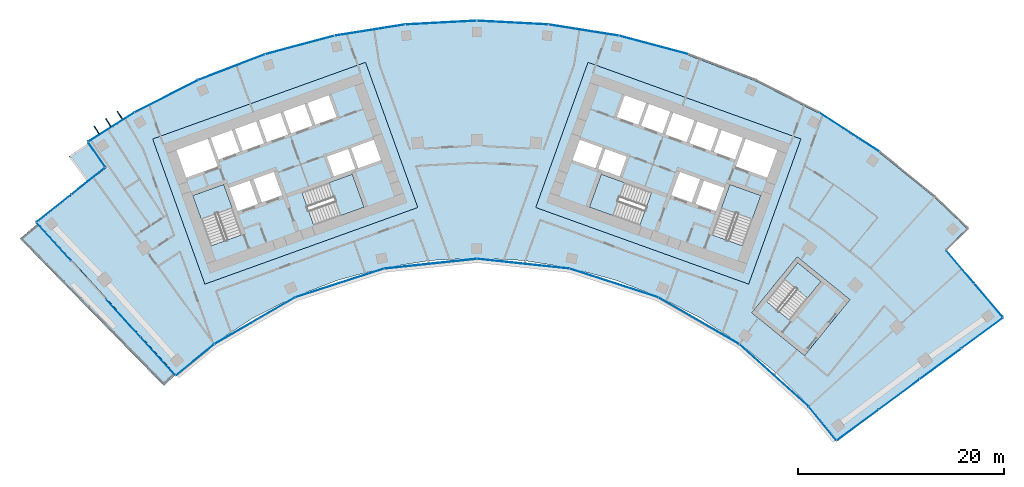
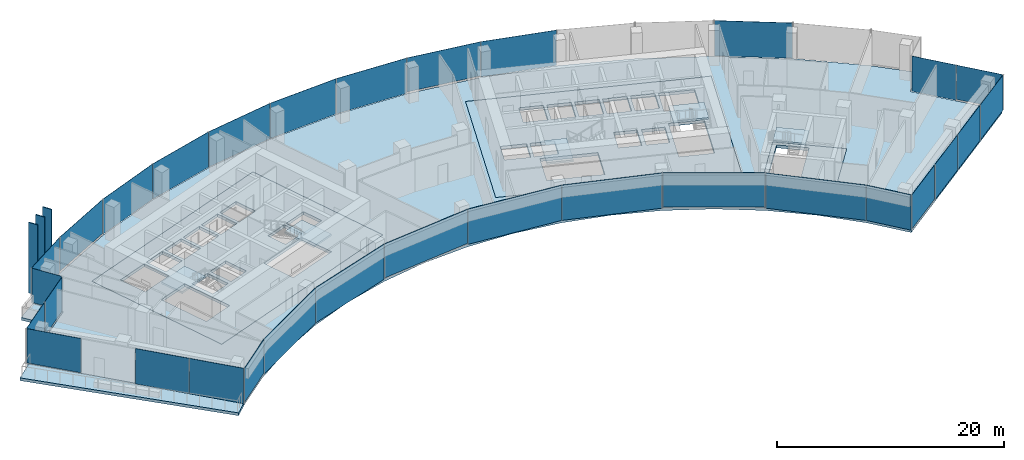
# One storey, part 10 of 19: 34 plates, 11 slabs, 12 elements without a shape of their own.
"""IFC4 building model written with IfcOpenShell, lengths in metres."""

from ifc_helpers import new_model, si_unit, direction, frame, origin, origin_2d, place, context, subcontext, project, spatial, polyline, rectangle, outline, extrude, material, layer, layer_set, type_object, element, aggregate, save


model = new_model("IFC4")

# Units and contexts
model_context = context("Model", 3, precision=1e-05, world=origin(), true_north=direction((0.0, 1.0)))
body_context = subcontext(model_context, "Body", "Model", "MODEL_VIEW")
ifc_project = project(units=[si_unit("LENGTHUNIT", "METRE"), si_unit("AREAUNIT", "SQUARE_METRE"), si_unit("VOLUMEUNIT", "CUBIC_METRE"), si_unit("PLANEANGLEUNIT", "RADIAN"), si_unit("MASSUNIT", "GRAM", prefix="KILO")], contexts=[model_context])

# Site, building, storey
site_placement = place(None, origin())
site = spatial("IfcSite", under=ifc_project, at=site_placement, CompositionType="ELEMENT")
building_placement = place(site_placement, origin())
building = spatial("IfcBuilding", under=site, at=building_placement, Name="Stone Belt Terrace Tower", CompositionType="ELEMENT")
storey_placement = place(building_placement, frame((0.0, 0.0, 227.60009765625)))
storey = spatial("IfcBuildingStorey", under=building, at=storey_placement, Name="L55", CompositionType="ELEMENT", Elevation=227.60009765625)

# Curtain wall, plates
ifc_material_1 = material(Name="Aluminium 6063-T6 anodised frame", Category="aluminium")
ifc_layer_1 = layer(ifc_material_1, 0.14990234375)
ifc_layer_set_1 = layer_set([ifc_layer_1], Name="CW-A unitised convex-face curtain wall")
curtain_wall_type_1 = type_object("IfcCurtainWallType", Name="CW-A unitised convex-face curtain wall", PredefinedType="NOTDEFINED", material=ifc_layer_set_1)
curtain_wall_1_placement = place(storey_placement, origin())
curtain_wall_1 = element("IfcCurtainWall", 1, at=curtain_wall_1_placement, inside=storey, type_object=curtain_wall_type_1, Name="CW-A convex face L55", PredefinedType="NOTDEFINED")
ifc_material_2 = material(Name="Clear double glazed unit")
ifc_layer_2 = layer(ifc_material_2, 0.031982421875)
ifc_layer_set_2 = layer_set([ifc_layer_2], Name="CW-A glass panel 32")
plate_type_1 = type_object("IfcPlateType", Name="CW-A glass panel 32", PredefinedType="CURTAIN_PANEL", material=ifc_layer_set_2)
plate_1_placement = place(storey_placement, frame((36.209716796875, 55.758056640625, 0.0), z_axis=(0.0, 0.0, 1.0), x_axis=(-0.838670567945, 0.544639035015, 0.0)))
plate_1 = element("IfcPlate", 2, at=plate_1_placement, type_object=plate_type_1, Name="CW-A panel 3.1", PredefinedType="CURTAIN_PANEL", context=body_context, shape_type="SweptSolid", body=[
    extrude(rectangle(XDim=6.90087890625, YDim=0.031982421875, at=origin_2d()), origin(), (0.0, 0.0, 1.0), 3.800048828125),
])
plate_2_placement = place(storey_placement, frame((17.207275390625, 64.218505859375, 0.0), z_axis=(0.0, 0.0, 1.0), x_axis=(-0.965925826289, 0.258819045103, 0.0)))
plate_2 = element("IfcPlate", 3, at=plate_2_placement, type_object=plate_type_1, Name="CW-A panel 6.1", PredefinedType="CURTAIN_PANEL", context=body_context, shape_type="SweptSolid", body=[
    extrude(rectangle(XDim=6.90087890625, YDim=0.031982421875, at=origin_2d()), origin(), (0.0, 0.0, 1.0), 3.800048828125),
])
plate_3_placement = place(storey_placement, frame((10.400390625, 65.665283203125, 0.14013671875), z_axis=(0.0, 0.0, 1.0), x_axis=(-0.987688340595, 0.15643446504, 0.0)))
plate_3 = element("IfcPlate", 4, at=plate_3_placement, type_object=plate_type_1, Name="CW-A panel 7.1", PredefinedType="CURTAIN_PANEL", context=body_context, shape_type="SweptSolid", body=[
    extrude(rectangle(XDim=6.90087890625, YDim=0.031982421875, at=origin_2d()), origin(), (0.0, 0.0, 1.0), 3.659912109375),
])
plate_4_placement = place(storey_placement, frame((3.4794921875, 66.392822265625, 0.0), z_axis=(0.0, 0.0, 1.0), x_axis=(-0.998629534755, 0.052335956243, 0.0)))
plate_4 = element("IfcPlate", 5, at=plate_4_placement, type_object=plate_type_1, Name="CW-A panel 8.1", PredefinedType="CURTAIN_PANEL", context=body_context, shape_type="SweptSolid", body=[
    extrude(rectangle(XDim=6.90087890625, YDim=0.031982421875, at=origin_2d()), origin(), (0.0, 0.0, 1.0), 3.800048828125),
])
plate_5_placement = place(storey_placement, frame((-3.4794921875, 66.392822265625, 0.0), z_axis=(0.0, 0.0, 1.0), x_axis=(-0.998629534755, -0.052335956243, 0.0)))
plate_5 = element("IfcPlate", 6, at=plate_5_placement, type_object=plate_type_1, Name="CW-A panel 9.1", PredefinedType="CURTAIN_PANEL", context=body_context, shape_type="SweptSolid", body=[
    extrude(rectangle(XDim=6.90087890625, YDim=0.031982421875, at=origin_2d()), origin(), (0.0, 0.0, 1.0), 3.800048828125),
])
plate_6_placement = place(storey_placement, frame((-10.400390625, 65.665283203125, 0.0), z_axis=(0.0, 0.0, 1.0), x_axis=(-0.987688340595, -0.15643446504, 0.0)))
plate_6 = element("IfcPlate", 7, at=plate_6_placement, type_object=plate_type_1, Name="CW-A panel 10.1", PredefinedType="CURTAIN_PANEL", context=body_context, shape_type="SweptSolid", body=[
    extrude(rectangle(XDim=6.90087890625, YDim=0.031982421875, at=origin_2d()), origin(), (0.0, 0.0, 1.0), 3.800048828125),
])
plate_7_placement = place(storey_placement, frame((-17.207275390625, 64.218505859375, 0.0), z_axis=(0.0, 0.0, 1.0), x_axis=(-0.965925826289, -0.258819045103, 0.0)))
plate_7 = element("IfcPlate", 8, at=plate_7_placement, type_object=plate_type_1, Name="CW-A panel 11.1", PredefinedType="CURTAIN_PANEL", context=body_context, shape_type="SweptSolid", body=[
    extrude(rectangle(XDim=6.90087890625, YDim=0.031982421875, at=origin_2d()), origin(), (0.0, 0.0, 1.0), 3.800048828125),
])
plate_8_placement = place(storey_placement, frame((-23.82568359375, 62.068115234375, 0.0), z_axis=(0.0, 0.0, 1.0), x_axis=(-0.933580426497, -0.358367949545, 0.0)))
plate_8 = element("IfcPlate", 9, at=plate_8_placement, type_object=plate_type_1, Name="CW-A panel 12.1", PredefinedType="CURTAIN_PANEL", context=body_context, shape_type="SweptSolid", body=[
    extrude(rectangle(XDim=6.90087890625, YDim=0.031982421875, at=origin_2d()), origin(), (0.0, 0.0, 1.0), 3.800048828125),
])
plate_9_placement = place(storey_placement, frame((-30.18310546875, 59.237548828125, 0.14013671875), z_axis=(0.0, 0.0, 1.0), x_axis=(-0.891006524188, -0.45399049974, 0.0)))
plate_9 = element("IfcPlate", 10, at=plate_9_placement, type_object=plate_type_1, Name="CW-A panel 13.1", PredefinedType="CURTAIN_PANEL", context=body_context, shape_type="SweptSolid", body=[
    extrude(rectangle(XDim=6.90087890625, YDim=0.031982421875, at=origin_2d()), origin(), (0.0, 0.0, 1.0), 3.659912109375),
])
plate_10_placement = place(storey_placement, frame((-35.53125, 56.23876953125, 0.0), z_axis=(0.0, 0.0, 1.0), x_axis=(-0.845539701985, -0.533912551236, 0.0)))
plate_10 = element("IfcPlate", 11, at=plate_10_placement, type_object=plate_type_1, Name="CW-A panel 14.1", PredefinedType="CURTAIN_PANEL", context=body_context, shape_type="SweptSolid", body=[
    extrude(rectangle(XDim=5.24169921875, YDim=0.031982421875, at=origin_2d()), origin(), (0.0, 0.0, 1.0), 3.800048828125),
])
aggregate(curtain_wall_1, [plate_1, plate_2, plate_3, plate_4, plate_5, plate_6, plate_7, plate_8, plate_9, plate_10])

ifc_layer_3 = layer(ifc_material_1, 0.14990234375)
ifc_layer_set_3 = layer_set([ifc_layer_3], Name="CW-B unitised concave-face curtain wall")
curtain_wall_type_2 = type_object("IfcCurtainWallType", Name="CW-B unitised concave-face curtain wall", PredefinedType="NOTDEFINED", material=ifc_layer_set_3)
curtain_wall_2_placement = place(storey_placement, origin())
curtain_wall_2 = element("IfcCurtainWall", 12, at=curtain_wall_2_placement, inside=storey, type_object=curtain_wall_type_2, Name="CW-B concave face L55", PredefinedType="NOTDEFINED")
ifc_layer_4 = layer(ifc_material_2, 0.030029296875)
ifc_layer_set_4 = layer_set([ifc_layer_4], Name="CW-B glass panel 30")
plate_type_2 = type_object("IfcPlateType", Name="CW-B glass panel 30", PredefinedType="CURTAIN_PANEL", material=ifc_layer_set_4)
plate_11_placement = place(storey_placement, frame((-27.388427734375, 33.6142578125, 0.1201171875), z_axis=(0.0, 0.0, 1.0), x_axis=(0.77552492833, 0.631316945392, 0.0)))
plate_11 = element("IfcPlate", 13, at=plate_11_placement, type_object=plate_type_2, Name="CW-B panel 1.1", PredefinedType="CURTAIN_PANEL", context=body_context, shape_type="SweptSolid", body=[
    extrude(rectangle(XDim=4.740966796875, YDim=0.030029296875, at=origin_2d()), origin(), (0.0, 0.0, 1.0), 3.679931640625),
])
plate_12_placement = place(storey_placement, frame((-21.594970703125, 37.39990234375, 0.0), z_axis=(0.0, 0.0, 1.0), x_axis=(0.866025403784, 0.5, 0.0)))
plate_12 = element("IfcPlate", 14, at=plate_12_placement, type_object=plate_type_2, Name="CW-B panel 2.1", PredefinedType="CURTAIN_PANEL", context=body_context, shape_type="SweptSolid", body=[
    extrude(rectangle(XDim=9.0166015625, YDim=0.030029296875, at=origin_2d()), origin(), (0.0, 0.0, 1.0), 3.800048828125),
])
plate_13_placement = place(storey_placement, frame((-13.345458984375, 41.072998046875, 0.0), z_axis=(0.0, 0.0, 1.0), x_axis=(0.951056516295, 0.309016994375, 0.0)))
plate_13 = element("IfcPlate", 15, at=plate_13_placement, type_object=plate_type_2, Name="CW-B panel 3.1", PredefinedType="CURTAIN_PANEL", context=body_context, shape_type="SweptSolid", body=[
    extrude(rectangle(XDim=9.0126953125, YDim=0.030029296875, at=origin_2d()), origin(), (0.0, 0.0, 1.0), 3.800048828125),
])
plate_14_placement = place(storey_placement, frame((-4.51416015625, 42.9501953125, 0.1201171875), z_axis=(0.0, 0.0, 1.0), x_axis=(0.994521895368, 0.104528463268, 0.0)))
plate_14 = element("IfcPlate", 16, at=plate_14_placement, type_object=plate_type_2, Name="CW-B panel 4.1", PredefinedType="CURTAIN_PANEL", context=body_context, shape_type="SweptSolid", body=[
    extrude(rectangle(XDim=9.0126953125, YDim=0.030029296875, at=origin_2d()), origin(), (0.0, 0.0, 1.0), 3.679931640625),
])
plate_15_placement = place(storey_placement, frame((4.51416015625, 42.9501953125, 0.0), z_axis=(0.0, 0.0, 1.0), x_axis=(0.994521895368, -0.104528463268, 0.0)))
plate_15 = element("IfcPlate", 17, at=plate_15_placement, type_object=plate_type_2, Name="CW-B panel 5.1", PredefinedType="CURTAIN_PANEL", context=body_context, shape_type="SweptSolid", body=[
    extrude(rectangle(XDim=9.0126953125, YDim=0.030029296875, at=origin_2d()), origin(), (0.0, 0.0, 1.0), 3.800048828125),
])
plate_16_placement = place(storey_placement, frame((13.345458984375, 41.072998046875, 0.0), z_axis=(0.0, 0.0, 1.0), x_axis=(0.951056516295, -0.309016994375, 0.0)))
plate_16 = element("IfcPlate", 18, at=plate_16_placement, type_object=plate_type_2, Name="CW-B panel 6.1", PredefinedType="CURTAIN_PANEL", context=body_context, shape_type="SweptSolid", body=[
    extrude(rectangle(XDim=9.0126953125, YDim=0.030029296875, at=origin_2d()), origin(), (0.0, 0.0, 1.0), 3.800048828125),
])
plate_17_placement = place(storey_placement, frame((21.59326171875, 37.40087890625, 0.1201171875), z_axis=(0.0, 0.0, 1.0), x_axis=(0.866025403784, -0.5, 0.0)))
plate_17 = element("IfcPlate", 19, at=plate_17_placement, type_object=plate_type_2, Name="CW-B panel 7.1", PredefinedType="CURTAIN_PANEL", context=body_context, shape_type="SweptSolid", body=[
    extrude(rectangle(XDim=9.0126953125, YDim=0.030029296875, at=origin_2d()), origin(), (0.0, 0.0, 1.0), 3.679931640625),
])
plate_18_placement = place(storey_placement, frame((28.899169921875, 32.092529296875, 0.0), z_axis=(0.0, 0.0, 1.0), x_axis=(0.743144825477, -0.669130606359, 0.0)))
plate_18 = element("IfcPlate", 20, at=plate_18_placement, type_object=plate_type_2, Name="CW-B panel 8.1", PredefinedType="CURTAIN_PANEL", context=body_context, shape_type="SweptSolid", body=[
    extrude(rectangle(XDim=9.01708984375, YDim=0.030029296875, at=origin_2d()), origin(), (0.0, 0.0, 1.0), 3.800048828125),
])
plate_19_placement = place(storey_placement, frame((33.611572265625, 27.4150390625, 0.0), z_axis=(0.0, 0.0, 1.0), x_axis=(0.632397726807, -0.774643863417, 0.0)))
plate_19 = element("IfcPlate", 21, at=plate_19_placement, type_object=plate_type_2, Name="CW-B panel 9.1", PredefinedType="CURTAIN_PANEL", context=body_context, shape_type="SweptSolid", body=[
    extrude(rectangle(XDim=4.173828125, YDim=0.030029296875, at=origin_2d()), origin(), (0.0, 0.0, 1.0), 3.800048828125),
])
aggregate(curtain_wall_2, [plate_11, plate_12, plate_13, plate_14, plate_15, plate_16, plate_17, plate_18, plate_19])

ifc_layer_5 = layer(ifc_material_1, 0.14990234375)
ifc_layer_set_5 = layer_set([ifc_layer_5], Name="CW-C stick curtain wall, horn ends and notches")
curtain_wall_type_3 = type_object("IfcCurtainWallType", Name="CW-C stick curtain wall, horn ends and notches", PredefinedType="NOTDEFINED", material=ifc_layer_set_5)
curtain_wall_3_placement = place(storey_placement, origin())
curtain_wall_3 = element("IfcCurtainWall", 22, at=curtain_wall_3_placement, inside=storey, type_object=curtain_wall_type_3, Name="CW-C end face L55", PredefinedType="NOTDEFINED")
ifc_layer_6 = layer(ifc_material_2, 0.028076171875)
ifc_layer_set_6 = layer_set([ifc_layer_6], Name="CW-C glass panel 28")
plate_type_3 = type_object("IfcPlateType", Name="CW-C glass panel 28", PredefinedType="CURTAIN_PANEL", material=ifc_layer_set_6)
plate_20_placement = place(storey_placement, frame((37.032470703125, 27.263916015625, 0.1201171875), z_axis=(0.0, 0.0, 1.0), x_axis=(0.804329077539, 0.594184091865, 0.0)))
plate_20 = element("IfcPlate", 23, at=plate_20_placement, type_object=plate_type_3, Name="CW-C panel 1.1", PredefinedType="CURTAIN_PANEL", context=body_context, shape_type="SweptSolid", body=[
    extrude(rectangle(XDim=4.968017578125, YDim=0.028076171875, at=origin_2d()), origin(), (0.0, 0.0, 1.0), 3.679931640625),
])
plate_21_placement = place(storey_placement, frame((41.0654296875, 30.2431640625, 0.0), z_axis=(0.0, 0.0, 1.0), x_axis=(0.804329077539, 0.594184091865, 0.0)))
plate_21 = element("IfcPlate", 24, at=plate_21_placement, type_object=plate_type_3, Name="CW-C panel 2.1", PredefinedType="CURTAIN_PANEL", context=body_context, shape_type="SweptSolid", body=[
    extrude(rectangle(XDim=4.93994140625, YDim=0.028076171875, at=origin_2d()), origin(), (0.0, 0.0, 1.0), 3.800048828125),
])
plate_22_placement = place(storey_placement, frame((45.0869140625, 33.2138671875, 0.0), z_axis=(0.0, 0.0, 1.0), x_axis=(0.804329077539, 0.594184091865, 0.0)))
plate_22 = element("IfcPlate", 25, at=plate_22_placement, type_object=plate_type_3, Name="CW-C panel 3.1", PredefinedType="CURTAIN_PANEL", context=body_context, shape_type="SweptSolid", body=[
    extrude(rectangle(XDim=4.93994140625, YDim=0.028076171875, at=origin_2d()), origin(), (0.0, 0.0, 1.0), 3.800048828125),
])
plate_23_placement = place(storey_placement, frame((49.122802734375, 36.1953125, 0.0), z_axis=(0.0, 0.0, 1.0), x_axis=(0.804329077539, 0.594184091865, 0.0)))
plate_23 = element("IfcPlate", 26, at=plate_23_placement, type_object=plate_type_3, Name="CW-C panel 4.1", PredefinedType="CURTAIN_PANEL", context=body_context, shape_type="SweptSolid", body=[
    extrude(rectangle(XDim=4.974853515625, YDim=0.028076171875, at=origin_2d()), origin(), (0.0, 0.0, 1.0), 3.800048828125),
])
aggregate(curtain_wall_3, [plate_20, plate_21, plate_22, plate_23])

curtain_wall_4_placement = place(storey_placement, origin())
curtain_wall_4 = element("IfcCurtainWall", 27, at=curtain_wall_4_placement, inside=storey, type_object=curtain_wall_type_3, Name="CW-C notch face L55", PredefinedType="NOTDEFINED")
plate_24_placement = place(storey_placement, frame((49.75390625, 39.402587890625, 0.1201171875), z_axis=(0.0, 0.0, 1.0), x_axis=(-0.647210945735, 0.762310954743, 0.0)))
plate_24 = element("IfcPlate", 28, at=plate_24_placement, type_object=plate_type_3, Name="CW-C panel 1.1", PredefinedType="CURTAIN_PANEL", context=body_context, shape_type="SweptSolid", body=[
    extrude(rectangle(XDim=4.268798828125, YDim=0.028076171875, at=origin_2d()), origin(), (0.0, 0.0, 1.0), 3.679931640625),
])
plate_25_placement = place(storey_placement, frame((47.000244140625, 42.645751953125, 0.0), z_axis=(0.0, 0.0, 1.0), x_axis=(-0.647210945735, 0.762310954743, 0.0)))
plate_25 = element("IfcPlate", 29, at=plate_25_placement, type_object=plate_type_3, Name="CW-C panel 2.1", PredefinedType="CURTAIN_PANEL", context=body_context, shape_type="SweptSolid", body=[
    extrude(rectangle(XDim=4.12060546875, YDim=0.028076171875, at=origin_2d()), origin(), (0.0, 0.0, 1.0), 3.800048828125),
])
aggregate(curtain_wall_4, [plate_24, plate_25])

# Curtain wall, plate
curtain_wall_5_placement = place(storey_placement, origin())
curtain_wall_5 = element("IfcCurtainWall", 30, at=curtain_wall_5_placement, inside=storey, type_object=curtain_wall_type_3, Name="CW-C notch face L55", PredefinedType="NOTDEFINED")
plate_26_placement = place(storey_placement, frame((-36.95751953125, 53.56005859375, 0.1201171875), z_axis=(0.0, 0.0, 1.0), x_axis=(0.566987006549, -0.823726735274, 0.0)))
plate_26 = element("IfcPlate", 31, at=plate_26_placement, type_object=plate_type_3, Name="CW-C panel 1.1", PredefinedType="CURTAIN_PANEL", context=body_context, shape_type="SweptSolid", body=[
    extrude(rectangle(XDim=2.85986328125, YDim=0.028076171875, at=origin_2d()), origin(), (0.0, 0.0, 1.0), 3.679931640625),
])
aggregate(curtain_wall_5, [plate_26])

# Curtain wall, plates
curtain_wall_6_placement = place(storey_placement, origin())
curtain_wall_6 = element("IfcCurtainWall", 32, at=curtain_wall_6_placement, inside=storey, type_object=curtain_wall_type_3, Name="CW-C notch face L55", PredefinedType="NOTDEFINED")
plate_27_placement = place(storey_placement, frame((-37.776611328125, 50.99609375, 0.1201171875), z_axis=(0.0, 0.0, 1.0), x_axis=(-0.783503217382, -0.621387727874, 0.0)))
plate_27 = element("IfcPlate", 33, at=plate_27_placement, type_object=plate_type_3, Name="CW-C panel 1.1", PredefinedType="CURTAIN_PANEL", context=body_context, shape_type="SweptSolid", body=[
    extrude(rectangle(XDim=4.12060546875, YDim=0.028076171875, at=origin_2d()), origin(), (0.0, 0.0, 1.0), 3.679931640625),
])
plate_28_placement = place(storey_placement, frame((-41.110107421875, 48.3525390625, 0.0), z_axis=(0.0, 0.0, 1.0), x_axis=(-0.783503217382, -0.621387727874, 0.0)))
plate_28 = element("IfcPlate", 34, at=plate_28_placement, type_object=plate_type_3, Name="CW-C panel 2.1", PredefinedType="CURTAIN_PANEL", context=body_context, shape_type="SweptSolid", body=[
    extrude(rectangle(XDim=4.268798828125, YDim=0.028076171875, at=origin_2d()), origin(), (0.0, 0.0, 1.0), 3.800048828125),
])
aggregate(curtain_wall_6, [plate_27, plate_28])

curtain_wall_7_placement = place(storey_placement, origin())
curtain_wall_7 = element("IfcCurtainWall", 35, at=curtain_wall_7_placement, inside=storey, type_object=curtain_wall_type_3, Name="CW-C end face L55", PredefinedType="NOTDEFINED")
plate_29_placement = place(storey_placement, frame((-41.116943359375, 45.083740234375, 0.1201171875), z_axis=(0.0, 0.0, 1.0), x_axis=(0.672944127735, -0.739693315468, 0.0)))
plate_29 = element("IfcPlate", 36, at=plate_29_placement, type_object=plate_type_3, Name="CW-C panel 1.1", PredefinedType="CURTAIN_PANEL", context=body_context, shape_type="SweptSolid", body=[
    extrude(rectangle(XDim=4.974853515625, YDim=0.028076171875, at=origin_2d()), origin(), (0.0, 0.0, 1.0), 3.679931640625),
])
plate_30_placement = place(storey_placement, frame((-34.375732421875, 37.673828125, 0.0), z_axis=(0.0, 0.0, 1.0), x_axis=(0.672944127735, -0.739693315468, 0.0)))
plate_30 = element("IfcPlate", 37, at=plate_30_placement, type_object=plate_type_3, Name="CW-C panel 3.1", PredefinedType="CURTAIN_PANEL", context=body_context, shape_type="SweptSolid", body=[
    extrude(rectangle(XDim=4.93994140625, YDim=0.028076171875, at=origin_2d()), origin(), (0.0, 0.0, 1.0), 3.800048828125),
])
plate_31_placement = place(storey_placement, frame((-31.001708984375, 33.965087890625, 0.0), z_axis=(0.0, 0.0, 1.0), x_axis=(0.672944127735, -0.739693315468, 0.0)))
plate_31 = element("IfcPlate", 38, at=plate_31_placement, type_object=plate_type_3, Name="CW-C panel 4.1", PredefinedType="CURTAIN_PANEL", context=body_context, shape_type="SweptSolid", body=[
    extrude(rectangle(XDim=4.967529296875, YDim=0.028076171875, at=origin_2d()), origin(), (0.0, 0.0, 1.0), 3.800048828125),
])
aggregate(curtain_wall_7, [plate_29, plate_30, plate_31])

# Slabs
ifc_material_3 = material(Name="Concrete B40", Category="concrete")
ifc_layer_7 = layer(ifc_material_3, 0.320068359375)
ifc_layer_set_7 = layer_set([ifc_layer_7], Name="Core floor slab 320")
slab_type_1 = type_object("IfcSlabType", Name="Core floor slab 320", PredefinedType="FLOOR", material=ifc_layer_set_7)
slab_1_placement = place(storey_placement, frame((0.0, 0.0, -0.320068359375)))
element("IfcSlab", 39, at=slab_1_placement, inside=storey, type_object=slab_type_1, Name="Core A floor L55", PredefinedType="FLOOR", context=body_context, shape_type="SweptSolid", body=[
    extrude(outline(polyline([(-26.43505859375, 40.968994140625), (-5.735107421875, 48.4189453125), (-10.81396484375, 62.531982421875), (-31.513916015625, 55.0830078125), (-26.43505859375, 40.968994140625)]), holes=[polyline([(-24.60791015625, 50.659912109375), (-22.847900390625, 45.76806640625), (-25.85888671875, 44.68408203125), (-27.618896484375, 49.575927734375), (-24.60791015625, 50.659912109375)]), polyline([(-21.27392578125, 48.778076171875), (-23.25, 48.06689453125), (-24.06298828125, 50.324951171875), (-22.0869140625, 51.035888671875), (-21.27392578125, 48.778076171875)]), polyline([(-18.922119140625, 49.6240234375), (-20.89794921875, 48.9130859375), (-21.7109375, 51.1708984375), (-19.735107421875, 51.883056640625), (-18.922119140625, 49.6240234375)]), polyline([(-28.24609375, 51.31689453125), (-29.2109375, 53.9990234375), (-26.153076171875, 55.09912109375), (-25.18798828125, 52.41796875), (-28.24609375, 51.31689453125)]), polyline([(-23.801025390625, 55.946044921875), (-23.0390625, 53.8291015625), (-25.10888671875, 53.083984375), (-25.87109375, 55.200927734375), (-23.801025390625, 55.946044921875)]), polyline([(-21.447998046875, 56.7919921875), (-20.68603515625, 54.675048828125), (-22.756103515625, 53.929931640625), (-23.51806640625, 56.047119140625), (-21.447998046875, 56.7919921875)]), polyline([(-10.955078125, 48.452880859375), (-15.846923828125, 46.69189453125), (-16.998046875, 49.89208984375), (-12.10595703125, 51.652099609375), (-10.955078125, 48.452880859375)]), polyline([(-11.847900390625, 52.116943359375), (-11.864990234375, 52.1640625), (-13.887939453125, 51.43603515625), (-14.58203125, 53.364990234375), (-12.511962890625, 54.110107421875), (-11.801025390625, 52.134033203125), (-11.847900390625, 52.116943359375)]), polyline([(-9.30810546875, 53.031005859375), (-11.51904296875, 52.235107421875), (-12.22998046875, 54.2109375), (-10.01904296875, 55.007080078125), (-9.30810546875, 53.031005859375)]), polyline([(-21.166015625, 56.89404296875), (-19.095947265625, 57.638916015625), (-18.333984375, 55.52197265625), (-20.404052734375, 54.777099609375), (-21.166015625, 56.89404296875)]), polyline([(-16.743896484375, 58.485107421875), (-15.98193359375, 56.367919921875), (-18.052001953125, 55.623046875), (-18.81396484375, 57.739990234375), (-16.743896484375, 58.485107421875)]), polyline([(-14.39111328125, 59.33203125), (-13.6298828125, 57.215087890625), (-15.699951171875, 56.469970703125), (-16.4609375, 58.5869140625), (-14.39111328125, 59.33203125)])]), origin(), (0.0, 0.0, 1.0), 0.320068359375),
])
slab_2_placement = place(storey_placement, frame((0.0, 0.0, -0.320068359375)))
element("IfcSlab", 40, at=slab_2_placement, inside=storey, type_object=slab_type_1, Name="Core B floor L55", PredefinedType="FLOOR", context=body_context, shape_type="SweptSolid", body=[
    extrude(outline(polyline([(26.43505859375, 40.968994140625), (31.513916015625, 55.0830078125), (10.81396484375, 62.531982421875), (5.735107421875, 48.4189453125), (26.43505859375, 40.968994140625)]), holes=[polyline([(12.10595703125, 51.652099609375), (16.998046875, 49.89208984375), (15.846923828125, 46.69189453125), (10.955078125, 48.452880859375), (12.10595703125, 51.652099609375)]), polyline([(12.511962890625, 54.110107421875), (14.58203125, 53.364990234375), (13.887939453125, 51.43603515625), (11.864990234375, 52.1640625), (11.847900390625, 52.116943359375), (11.801025390625, 52.134033203125), (12.511962890625, 54.110107421875)]), polyline([(9.30810546875, 53.031005859375), (10.01904296875, 55.007080078125), (12.22998046875, 54.2109375), (11.51904296875, 52.235107421875), (9.30810546875, 53.031005859375)]), polyline([(18.333984375, 55.52197265625), (19.095947265625, 57.638916015625), (21.166015625, 56.89404296875), (20.404052734375, 54.777099609375), (18.333984375, 55.52197265625)]), polyline([(16.743896484375, 58.485107421875), (18.81396484375, 57.739990234375), (18.052001953125, 55.623046875), (15.98193359375, 56.367919921875), (16.743896484375, 58.485107421875)]), polyline([(14.39111328125, 59.33203125), (16.4609375, 58.5869140625), (15.699951171875, 56.469970703125), (13.6298828125, 57.215087890625), (14.39111328125, 59.33203125)]), polyline([(27.618896484375, 49.575927734375), (25.85888671875, 44.68408203125), (22.847900390625, 45.76806640625), (24.60791015625, 50.659912109375), (27.618896484375, 49.575927734375)]), polyline([(21.27392578125, 48.778076171875), (22.0869140625, 51.035888671875), (24.06298828125, 50.324951171875), (23.25, 48.06689453125), (21.27392578125, 48.778076171875)]), polyline([(18.922119140625, 49.6240234375), (19.735107421875, 51.883056640625), (21.7109375, 51.1708984375), (20.89794921875, 48.9130859375), (18.922119140625, 49.6240234375)]), polyline([(26.153076171875, 55.09912109375), (29.2109375, 53.9990234375), (28.24609375, 51.31689453125), (25.18798828125, 52.41796875), (26.153076171875, 55.09912109375)]), polyline([(23.801025390625, 55.946044921875), (25.87109375, 55.200927734375), (25.10888671875, 53.083984375), (23.0390625, 53.8291015625), (23.801025390625, 55.946044921875)]), polyline([(21.447998046875, 56.7919921875), (23.51806640625, 56.047119140625), (22.756103515625, 53.929931640625), (20.68603515625, 54.675048828125), (21.447998046875, 56.7919921875)])]), origin(), (0.0, 0.0, 1.0), 0.320068359375),
])
slab_3_placement = place(storey_placement, frame((0.0, 0.0, -0.320068359375)))
element("IfcSlab", 41, at=slab_3_placement, inside=storey, type_object=slab_type_1, Name="Exit stair ST3B floor L55", PredefinedType="FLOOR", context=body_context, shape_type="SweptSolid", body=[
    extrude(outline(polyline([(26.741943359375, 38.18408203125), (31.866943359375, 34.02392578125), (36.278076171875, 39.458984375), (31.154052734375, 43.618896484375), (26.741943359375, 38.18408203125)]), holes=[polyline([(30.407958984375, 37.462890625), (28.156005859375, 39.291015625), (31.2119140625, 43.055908203125), (33.464111328125, 41.22802734375), (30.407958984375, 37.462890625)])]), origin(), (0.0, 0.0, 1.0), 0.320068359375),
])
ifc_layer_8 = layer(ifc_material_3, 0.320068359375)
ifc_layer_set_8 = layer_set([ifc_layer_8], Name="Floor slab 320 B40")
slab_type_2 = type_object("IfcSlabType", Name="Floor slab 320 B40", PredefinedType="FLOOR", material=ifc_layer_set_8)
slab_4_placement = place(storey_placement, frame((0.0, 0.0, -0.320068359375)))
element("IfcSlab", 42, at=slab_4_placement, inside=storey, type_object=slab_type_2, Name="Floor slab L55", PredefinedType="FLOOR", context=body_context, shape_type="SweptSolid", body=[
    extrude(outline(polyline([(-37.70458984375, 54.77783203125), (-33.25, 57.5908203125), (-27.048095703125, 60.750732421875), (-20.549560546875, 63.245361328125), (-13.826171875, 65.046875), (-6.951171875, 66.1357421875), (0.0, 66.5), (6.951171875, 66.1357421875), (13.826171875, 65.046875), (20.549560546875, 63.245361328125), (27.048095703125, 60.750732421875), (33.25, 57.5908203125), (39.087646484375, 53.799560546875), (44.497314453125, 49.419189453125), (47.66748046875, 46.368896484375), (45.51708984375, 44.277099609375), (51.074951171875, 37.730712890625), (34.98828125, 25.846923828125), (32.326904296875, 29.107177734375), (29.107177734375, 32.326904296875), (25.568603515625, 35.192138671875), (21.75, 37.672119140625), (17.693115234375, 39.7392578125), (13.442138671875, 41.37109375), (9.044189453125, 42.54931640625), (4.547119140625, 43.26171875), (0.0, 43.5), (-4.547119140625, 43.26171875), (-9.044189453125, 42.54931640625), (-13.442138671875, 41.37109375), (-17.693115234375, 39.7392578125), (-21.75, 37.672119140625), (-25.568603515625, 35.192138671875), (-29.107177734375, 32.326904296875), (-29.273193359375, 32.1767578125), (-42.73193359375, 46.970458984375), (-36.003662109375, 52.306640625), (-37.70458984375, 54.77783203125)]), holes=[polyline([(-31.51416015625, 55.082763671875), (-26.434814453125, 40.968994140625), (-5.734619140625, 48.418701171875), (-10.81396484375, 62.532470703125), (-31.51416015625, 55.082763671875)]), polyline([(31.51416015625, 55.082763671875), (10.81396484375, 62.532470703125), (5.734619140625, 48.418701171875), (26.434814453125, 40.968994140625), (31.51416015625, 55.082763671875)]), polyline([(36.2783203125, 39.459228515625), (31.15380859375, 43.61865234375), (26.742431640625, 38.18359375), (31.86669921875, 34.024169921875), (36.2783203125, 39.459228515625)])]), origin(), (0.0, 0.0, 1.0), 0.320068359375),
])

# Stair, slab
stair_type = type_object("IfcStairType", Name="Exit stair 1500", PredefinedType="HALF_TURN_STAIR", material=ifc_material_3)
stair_1_placement = place(storey_placement, origin())
stair_1 = element("IfcStair", 43, at=stair_1_placement, inside=storey, type_object=stair_type, Name="L55 Exit stair 1 core A", PredefinedType="HALF_TURN_STAIR")
ifc_layer_9 = layer(ifc_material_3, 0.199951171875)
ifc_layer_set_9 = layer_set([ifc_layer_9], Name="Stair landing 200")
slab_type_3 = type_object("IfcSlabType", Name="Stair landing 200", PredefinedType="LANDING", material=ifc_layer_set_9)
slab_5_placement = place(storey_placement, frame((0.0, 0.0, 1.699951171875)))
slab_5 = element("IfcSlab", 44, at=slab_5_placement, type_object=slab_type_3, Name="ST1A landing 1", PredefinedType="LANDING", context=body_context, shape_type="SweptSolid", body=[
    extrude(outline(polyline([(-23.79541015625, 48.40087890625), (-24.6083984375, 50.659912109375), (-27.619384765625, 49.576171875), (-26.806396484375, 47.3173828125), (-23.79541015625, 48.40087890625)])), origin(), (0.0, 0.0, 1.0), 0.199951171875),
])
aggregate(stair_1, [slab_5])

stair_2_placement = place(storey_placement, origin())
stair_2 = element("IfcStair", 45, at=stair_2_placement, inside=storey, type_object=stair_type, Name="L55 Exit stair 2 core A", PredefinedType="HALF_TURN_STAIR")
slab_6_placement = place(storey_placement, frame((0.0, 0.0, 1.699951171875)))
slab_6 = element("IfcSlab", 46, at=slab_6_placement, type_object=slab_type_3, Name="ST2A landing 1", PredefinedType="LANDING", context=body_context, shape_type="SweptSolid", body=[
    extrude(outline(polyline([(-13.213623046875, 47.64013671875), (-10.95458984375, 48.453125), (-12.10595703125, 51.652099609375), (-14.36474609375, 50.839111328125), (-13.213623046875, 47.64013671875)])), origin(), (0.0, 0.0, 1.0), 0.199951171875),
])
aggregate(stair_2, [slab_6])

stair_3_placement = place(storey_placement, origin())
stair_3 = element("IfcStair", 47, at=stair_3_placement, inside=storey, type_object=stair_type, Name="L55 Exit stair 1 core B", PredefinedType="HALF_TURN_STAIR")
slab_7_placement = place(storey_placement, frame((0.0, 0.0, 1.699951171875)))
slab_7 = element("IfcSlab", 48, at=slab_7_placement, type_object=slab_type_3, Name="ST1B landing 1", PredefinedType="LANDING", context=body_context, shape_type="SweptSolid", body=[
    extrude(outline(polyline([(26.806396484375, 47.3173828125), (27.619384765625, 49.576171875), (24.6083984375, 50.659912109375), (23.79541015625, 48.40087890625), (26.806396484375, 47.3173828125)])), origin(), (0.0, 0.0, 1.0), 0.199951171875),
])
aggregate(stair_3, [slab_7])

stair_4_placement = place(storey_placement, origin())
stair_4 = element("IfcStair", 49, at=stair_4_placement, inside=storey, type_object=stair_type, Name="L55 Exit stair 2 core B", PredefinedType="HALF_TURN_STAIR")
slab_8_placement = place(storey_placement, frame((0.0, 0.0, 1.699951171875)))
slab_8 = element("IfcSlab", 50, at=slab_8_placement, type_object=slab_type_3, Name="ST2B landing 1", PredefinedType="LANDING", context=body_context, shape_type="SweptSolid", body=[
    extrude(outline(polyline([(14.36474609375, 50.839111328125), (12.10595703125, 51.652099609375), (10.95458984375, 48.453125), (13.213623046875, 47.64013671875), (14.36474609375, 50.839111328125)])), origin(), (0.0, 0.0, 1.0), 0.199951171875),
])
aggregate(stair_4, [slab_8])

stair_5_placement = place(storey_placement, origin())
stair_5 = element("IfcStair", 51, at=stair_5_placement, inside=storey, type_object=stair_type, Name="L55 Exit stair 3B", PredefinedType="HALF_TURN_STAIR")
slab_9_placement = place(storey_placement, frame((0.0, 0.0, 1.699951171875)))
slab_9 = element("IfcSlab", 52, at=slab_9_placement, type_object=slab_type_3, Name="ST3B landing 1", PredefinedType="LANDING", context=body_context, shape_type="SweptSolid", body=[
    extrude(outline(polyline([(32.17138671875, 39.635986328125), (33.4638671875, 41.228271484375), (31.21240234375, 43.055908203125), (29.919921875, 41.463623046875), (32.17138671875, 39.635986328125)])), origin(), (0.0, 0.0, 1.0), 0.199951171875),
])
aggregate(stair_5, [slab_9])

# Slabs
ifc_layer_10 = layer(ifc_material_3, 0.300048828125)
ifc_layer_set_10 = layer_set([ifc_layer_10], Name="Terrace slab 300 B40")
slab_type_4 = type_object("IfcSlabType", Name="Terrace slab 300 B40", PredefinedType="FLOOR", material=ifc_layer_set_10)
slab_10_placement = place(storey_placement, frame((0.0, 0.0, -0.300048828125)))
element("IfcSlab", 53, at=slab_10_placement, inside=storey, type_object=slab_type_4, Name="Terrace slab L55-stack_terrace-1", PredefinedType="FLOOR", context=body_context, shape_type="SweptSolid", body=[
    extrude(outline(polyline([(-44.411376953125, 45.385986328125), (-30.423583984375, 31.091064453125), (-29.26025390625, 32.18310546875), (-29.262939453125, 32.185791015625), (-29.273193359375, 32.1767578125), (-42.655029296875, 46.885986328125), (-44.411376953125, 45.385986328125)])), origin(), (0.0, 0.0, 1.0), 0.300048828125),
])
slab_11_placement = place(storey_placement, frame((0.0, 0.0, -0.300048828125)))
element("IfcSlab", 54, at=slab_11_placement, inside=storey, type_object=slab_type_4, Name="Terrace slab L55-notch_roof-2", PredefinedType="FLOOR", context=body_context, shape_type="SweptSolid", body=[
    extrude(outline(polyline([(-39.671142578125, 53.370849609375), (-37.881591796875, 50.963134765625), (-40.1943359375, 48.98779296875), (-40.192138671875, 48.98486328125), (-36.003662109375, 52.306640625), (-37.66650390625, 54.722412109375), (-39.087646484375, 53.799560546875), (-39.671142578125, 53.370849609375)])), origin(), (0.0, 0.0, 1.0), 0.300048828125),
])

# Plates
ifc_material_4 = material(Name="Terracotta coloured glazed ceramic", Category="masonry")
ifc_layer_11 = layer(ifc_material_4, 0.10009765625)
ifc_layer_set_11 = layer_set([ifc_layer_11], Name="Terracotta fin 100 x 900")
plate_type_4 = type_object("IfcPlateType", Name="Terracotta fin 100 x 900", PredefinedType="SHEET", material=ifc_layer_set_11)
for number, where, z_axis, x_axis, name in (
    (55, (-34.6982421875, 57.3857421875, -0.000244140625), (0.0, 0.0, 1.0), (-0.533912551236, 0.845539701985, 0.0), "FIN L55 14.2"),
    (56, (-35.8291015625, 56.671630859375, -0.000244140625), (0.0, 0.0, 1.0), (-0.533912551236, 0.845539701985, 0.0), "FIN L55 14.3"),
    (57, (-36.9599609375, 55.95751953125, -0.000244140625), (0.0, 0.0, 1.0), (-0.533912551236, 0.845539701985, 0.0), "FIN L55 14.4"),
):
    element("IfcPlate", number, at=place(storey_placement, frame(where, z_axis=z_axis, x_axis=x_axis)), inside=storey, type_object=plate_type_4, Name=name, PredefinedType="SHEET", context=body_context, shape_type="SweptSolid", body=[
        extrude(rectangle(XDim=0.89990234375, YDim=0.10009765625, at=origin_2d()), origin(), (0.0, 0.0, 1.0), 7.60009765625),
    ])

save(model, "model.ifc")
